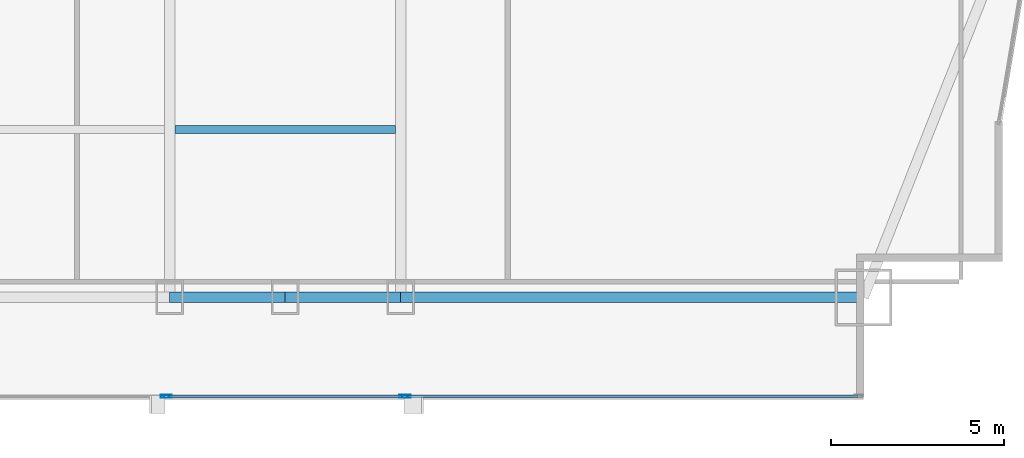
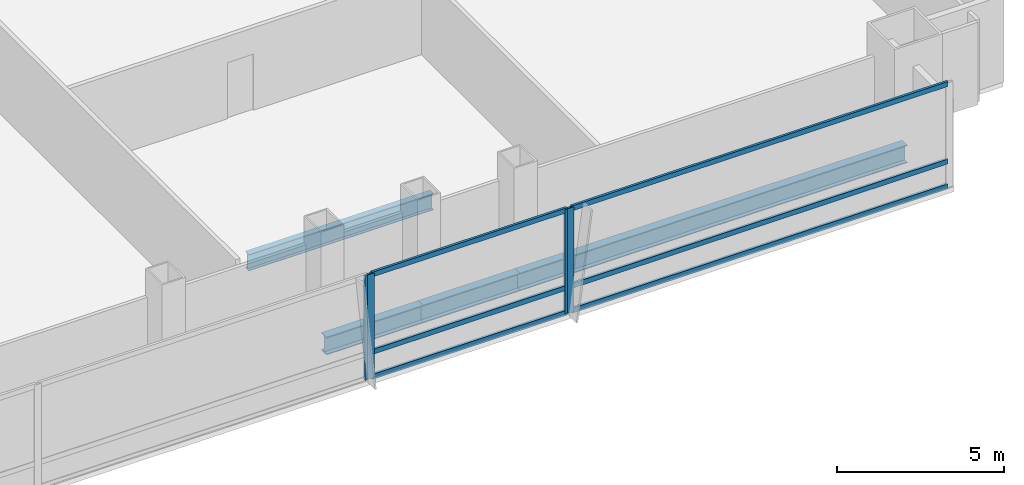
# One storey, part 14 of 32: 10 members, 4 beams, 3 elements without a shape of their own.
"""IFC4 building model written with IfcOpenShell, lengths in metres."""

import ifcopenshell
import ifcopenshell.guid

model = None  # the IFC model being written
_history = None  # IfcOwnerHistory: only IFC2X3 demands one
_inside = {}  # id of a spatial element -> (the spatial element, [elements in it])
_under = {}  # id of a project, library or spatial element -> (it, [spatial elements below it])
_declared = {}  # id of a project -> (the project, [libraries it declares])
_typed = {}  # id of a type object -> (the type object, [elements of that type])
_made_of = {}  # id of a material, layer set ... -> (it, [elements and type objects made of it])


def new_model(schema):
    """Start an empty IFC model of exactly this schema.

    Asked for "IFC4X3", IfcOpenShell would pick the latest addendum, in which some entities
    have other attributes; the version numbers below select the first issue.
    IFC2X3 requires an IfcOwnerHistory on every rooted entity: one is made here for all.
    """
    global model, _history
    if schema == "IFC4X3":
        model = ifcopenshell.file(schema_version=(4, 3, 0, 0))
    else:
        model = ifcopenshell.file(schema=schema)
    _inside.clear()
    _under.clear()
    _declared.clear()
    _typed.clear()
    _made_of.clear()
    _history = None
    if model.schema == "IFC2X3":
        org = make("IfcOrganization", Name="unknown")
        user = make(
            "IfcPersonAndOrganization",
            ThePerson=make("IfcPerson", FamilyName="unknown"),
            TheOrganization=org,
        )
        app = make(
            "IfcApplication",
            ApplicationDeveloper=org,
            Version="unknown",
            ApplicationFullName="unknown",
            ApplicationIdentifier="unknown",
        )
        _history = make(
            "IfcOwnerHistory",
            OwningUser=user,
            OwningApplication=app,
            ChangeAction="ADDED",
            CreationDate=0,
        )
    return model


def make(cls, **values):
    """One entity of the class cls with the attributes given. An attribute that is None is left unset."""
    return model.create_entity(
        cls, **{name: value for name, value in values.items() if value is not None}
    )


def rooted(cls, **values):
    """An entity with a GlobalId (a new one), such as an element, a storey or a relation."""
    return make(cls, GlobalId=ifcopenshell.guid.new(), OwnerHistory=_history, **values)


def si_unit(unit_type, name, prefix=None):
    """IfcSIUnit, for example si_unit("LENGTHUNIT", "METRE", prefix="MILLI")."""
    return make("IfcSIUnit", UnitType=unit_type, Prefix=prefix, Name=name)


def assignment(units):
    """IfcUnitAssignment: the units of a project."""
    return None if units is None else make("IfcUnitAssignment", Units=units)


def point(xyz):
    """IfcCartesianPoint."""
    return None if xyz is None else make("IfcCartesianPoint", Coordinates=xyz)


def direction(xyz):
    """IfcDirection."""
    return None if xyz is None else make("IfcDirection", DirectionRatios=xyz)


def frame(location, z_axis=None, x_axis=None):
    """IfcAxis2Placement3D, a coordinate frame: its origin and axes. An axis left out is left unset."""
    return make(
        "IfcAxis2Placement3D",
        Location=point(location),
        Axis=direction(z_axis),
        RefDirection=direction(x_axis),
    )


def frame_2d(location, x_axis=None):
    """IfcAxis2Placement2D, a coordinate frame in the plane: its origin and x axis."""
    return make(
        "IfcAxis2Placement2D", Location=point(location), RefDirection=direction(x_axis)
    )


def origin():
    """The frame at (0, 0, 0) with its axes left unset."""
    return frame((0.0, 0.0, 0.0))


def origin_2d():
    """The frame at (0, 0) in the plane with its x axis left unset."""
    return frame_2d((0.0, 0.0))


def place(relative_to, where):
    """IfcLocalPlacement: puts the frame where relative to a parent placement (None: the world)."""
    return make(
        "IfcLocalPlacement", PlacementRelTo=relative_to, RelativePlacement=where
    )


def context(
    kind, dimensions, precision=None, world=None, true_north=None, identifier=None
):
    """IfcGeometricRepresentationContext, for example the 3D "Model" context."""
    return make(
        "IfcGeometricRepresentationContext",
        ContextIdentifier=identifier,
        ContextType=kind,
        CoordinateSpaceDimension=dimensions,
        Precision=precision,
        WorldCoordinateSystem=world,
        TrueNorth=true_north,
    )


def subcontext(parent, identifier, kind, view, scale=None):
    """IfcGeometricRepresentationSubContext, for example "Body" below "Model"."""
    return make(
        "IfcGeometricRepresentationSubContext",
        ContextIdentifier=identifier,
        ContextType=kind,
        ParentContext=parent,
        TargetScale=scale,
        TargetView=view,
    )


def project(units=None, contexts=None):
    """IfcProject with its units and contexts."""
    return rooted(
        "IfcProject",
        Name="project",
        RepresentationContexts=contexts,
        UnitsInContext=assignment(units),
    )


def spatial(cls, under=None, at=None, **own):
    """A site, building, storey or space (cls), placed at a placement, below another one or the project."""
    s = rooted(cls, ObjectPlacement=at, **own)
    if under is not None:
        _under.setdefault(under.id(), (under, []))[1].append(s)
    return s


def profile(cls, at=None, kind="AREA", **sizes):
    """A parametric profile (cls). Its sizes go by their IFC names, for example OverallWidth=200.0."""
    return make(cls, ProfileType=kind, Position=at, **sizes)


def hollow_rectangle(**sizes):
    """IfcRectangleHollowProfileDef."""
    return profile("IfcRectangleHollowProfileDef", **sizes)


def i_section(**sizes):
    """IfcIShapeProfileDef."""
    return profile("IfcIShapeProfileDef", **sizes)


def extrude(swept, where, along, depth):
    """IfcExtrudedAreaSolid: the profile swept, set in the frame where, extruded along a direction by depth."""
    return make(
        "IfcExtrudedAreaSolid",
        SweptArea=swept,
        Position=where,
        ExtrudedDirection=direction(along),
        Depth=depth,
    )


def shape(context_of_items, identifier, shape_type, items):
    """IfcShapeRepresentation: the items that make up one representation, for example the "Body"."""
    return make(
        "IfcShapeRepresentation",
        ContextOfItems=context_of_items,
        RepresentationIdentifier=identifier,
        RepresentationType=shape_type,
        Items=items,
    )


def material(Name=None, Category=None):
    """IfcMaterial."""
    return make("IfcMaterial", Name=Name, Category=Category)


def material_profile(
    of_material, cross_section, Name=None, Category=None, Priority=None
):
    """IfcMaterialProfile: a cross section and its material."""
    return make(
        "IfcMaterialProfile",
        Name=Name,
        Material=of_material,
        Profile=cross_section,
        Priority=Priority,
        Category=Category,
    )


def profile_set(profiles, Name=None, composite=None):
    """IfcMaterialProfileSet."""
    return make(
        "IfcMaterialProfileSet",
        Name=Name,
        MaterialProfiles=profiles,
        CompositeProfile=composite,
    )


def made_of(thing, what):
    """Note that an element or type object is made of a material, layer set ...; save() writes the relation."""
    if what is not None:
        _made_of.setdefault(what.id(), (what, []))[1].append(thing)
    return thing


def type_object(cls, material=None, **own):
    """A type object (cls), such as IfcWallType, which elements share."""
    return made_of(rooted(cls, **own), material)


def element(
    cls,
    number,
    at=None,
    inside=None,
    cuts=None,
    type_object=None,
    material=None,
    context=None,
    identifier="Body",
    shape_type=None,
    held_by="IfcProductDefinitionShape",
    body=None,
    shapes=None,
    **own,
):
    """One element of the class cls, such as IfcWall. Its Tag is "e" and its number.

    at: its placement. inside: the storey or other place that contains it. cuts: it is an
    opening in that element (IfcRelVoidsElement). A single representation is given by context,
    identifier, shape_type and body (its items); several are given by shapes. held_by: the class
    of the entity that holds the representations. save() writes the other relations.
    """
    e = rooted(cls, Tag="e%d" % number, ObjectPlacement=at, **own)
    if body is not None:
        shapes = [shape(context, identifier, shape_type, body)]
    if shapes is not None:
        e.Representation = make(held_by, Representations=shapes)
    if inside is not None:
        _inside.setdefault(inside.id(), (inside, []))[1].append(e)
    if cuts is not None:
        rooted(
            "IfcRelVoidsElement", RelatingBuildingElement=cuts, RelatedOpeningElement=e
        )
    if type_object is not None:
        _typed.setdefault(type_object.id(), (type_object, []))[1].append(e)
    return made_of(e, material)


def aggregate(whole, parts):
    """IfcRelAggregates: a whole, such as a stair, and the parts it consists of."""
    return rooted("IfcRelAggregates", RelatingObject=whole, RelatedObjects=parts)


def save(model, path):
    """Write the relations noted so far, then the file.

    IfcRelAggregates (storeys below a building ...), IfcRelContainedInSpatialStructure (elements
    in a storey), IfcRelDefinesByType, IfcRelAssociatesMaterial and IfcRelDeclares: one each for
    every whole, place, type object, material and project.
    """
    for whole, parts in _under.values():
        aggregate(whole, parts)
    for where, things in _inside.values():
        rooted(
            "IfcRelContainedInSpatialStructure",
            RelatedElements=things,
            RelatingStructure=where,
        )
    for kind, things in _typed.values():
        rooted("IfcRelDefinesByType", RelatedObjects=things, RelatingType=kind)
    for what, things in _made_of.values():
        rooted("IfcRelAssociatesMaterial", RelatedObjects=things, RelatingMaterial=what)
    for by, libraries in _declared.values():
        rooted("IfcRelDeclares", RelatingContext=by, RelatedDefinitions=libraries)
    model.write(path)


model = new_model("IFC4")

# Units and contexts
model_context = context("Model", 3, precision=1e-05, world=origin(), true_north=direction((0.0, 1.0)))
body_context = subcontext(model_context, "Body", "Model", "MODEL_VIEW")
ifc_project = project(units=[si_unit("LENGTHUNIT", "METRE"), si_unit("AREAUNIT", "SQUARE_METRE"), si_unit("VOLUMEUNIT", "CUBIC_METRE"), si_unit("PLANEANGLEUNIT", "RADIAN"), si_unit("MASSUNIT", "GRAM", prefix="KILO")], contexts=[model_context])

# Site, building, storey
site_placement = place(None, origin())
site = spatial("IfcSite", under=ifc_project, at=site_placement, CompositionType="ELEMENT")
building_placement = place(site_placement, origin())
building = spatial("IfcBuilding", under=site, at=building_placement, Name="Khoronbel Lancet Exchange", CompositionType="ELEMENT")
storey_placement = place(building_placement, frame((0.0, 0.0, 41.800048828125)))
storey = spatial("IfcBuildingStorey", under=building, at=storey_placement, Name="L09", CompositionType="ELEMENT", Elevation=41.800048828125)

# Beams
ifc_material_1 = material(Name="Steel S355", Category="steel")
ifc_material_profile_1 = material_profile(ifc_material_1, i_section(OverallWidth=0.219970703125, OverallDepth=0.60009765625, WebThickness=0.011962890625, FlangeThickness=0.01904296875, at=origin_2d()), Name="IPE 600")
ifc_profile_set_1 = profile_set([ifc_material_profile_1], Name="Steel S355")
beam_type_1 = type_object("IfcBeamType", Name="BM-BJ1", PredefinedType="JOIST", material=ifc_profile_set_1)
beam_1_placement = place(storey_placement, frame((48.14990234375, 15.0, -0.47998046875), z_axis=(1.0, 0.0, 0.0), x_axis=(0.0, 1.0, 0.0)))
element("IfcBeam", 1, at=beam_1_placement, inside=storey, type_object=beam_type_1, Name="Level L09 secondary composite joist J05", PredefinedType="JOIST", context=body_context, shape_type="SweptSolid", body=[
    extrude(i_section(OverallWidth=0.219970703125, OverallDepth=0.60009765625, WebThickness=0.011962890625, FlangeThickness=0.01904296875, at=origin_2d()), origin(), (0.0, 0.0, 1.0), 6.375),
])
ifc_material_profile_2 = material_profile(ifc_material_1, i_section(OverallWidth=0.300048828125, OverallDepth=0.64990234375, WebThickness=0.01611328125, FlangeThickness=0.031005859375, at=origin_2d()), Name="HEB 650")
ifc_profile_set_2 = profile_set([ifc_material_profile_2], Name="Steel S355")
beam_type_2 = type_object("IfcBeamType", Name="BM-BSP1", PredefinedType="SPANDREL", material=ifc_profile_set_2)
beam_2_placement = place(storey_placement, frame((48.0, 10.14990234375, -0.505126953125), z_axis=(1.0, 0.0, 0.0), x_axis=(0.0, 1.0, 0.0)))
element("IfcBeam", 2, at=beam_2_placement, inside=storey, type_object=beam_type_2, Name="Level L09 perimeter spandrel beam SP07", PredefinedType="SPANDREL", context=body_context, shape_type="SweptSolid", body=[
    extrude(i_section(OverallWidth=0.300048828125, OverallDepth=0.64990234375, WebThickness=0.01611328125, FlangeThickness=0.031005859375, at=origin_2d()), origin(), (0.0, 0.0, 1.0), 3.33740234375),
])
beam_3_placement = place(storey_placement, frame((51.33740234375, 10.14990234375, -0.505126953125), z_axis=(1.0, 0.0, 0.0), x_axis=(0.0, 1.0, 0.0)))
element("IfcBeam", 3, at=beam_3_placement, inside=storey, type_object=beam_type_2, Name="Level L09 perimeter spandrel beam SP08", PredefinedType="SPANDREL", context=body_context, shape_type="SweptSolid", body=[
    extrude(i_section(OverallWidth=0.300048828125, OverallDepth=0.64990234375, WebThickness=0.01611328125, FlangeThickness=0.031005859375, at=origin_2d()), origin(), (0.0, 0.0, 1.0), 3.337646484375),
])
beam_4_placement = place(storey_placement, frame((54.675048828125, 10.14990234375, -0.505126953125), z_axis=(1.0, 0.0, 0.0), x_axis=(0.0, 1.0, 0.0)))
element("IfcBeam", 4, at=beam_4_placement, inside=storey, type_object=beam_type_2, Name="Level L09 perimeter spandrel beam SP09", PredefinedType="SPANDREL", context=body_context, shape_type="SweptSolid", body=[
    extrude(i_section(OverallWidth=0.300048828125, OverallDepth=0.64990234375, WebThickness=0.01611328125, FlangeThickness=0.031005859375, at=origin_2d()), origin(), (0.0, 0.0, 1.0), 13.375),
])

# Curtain wall, member
ifc_material_2 = material(Name="Low-E Solar Control Insulating Glass", Category="glass")
curtain_wall_type = type_object("IfcCurtainWallType", Name="CW-1", PredefinedType="NOTDEFINED", material=ifc_material_2)
curtain_wall_1_placement = place(storey_placement, origin())
curtain_wall_1 = element("IfcCurtainWall", 5, at=curtain_wall_1_placement, inside=storey, type_object=curtain_wall_type, Name="Unitised curtain wall CW-L09-SCV", PredefinedType="NOTDEFINED")
ifc_material_3 = material(Name="Bronze-Anodised Aluminium 6063-T6", Category="aluminium")
ifc_material_profile_3 = material_profile(ifc_material_3, hollow_rectangle(XDim=0.0849609375, YDim=0.239990234375, WallThickness=0.006103515625, at=origin_2d()), Name="ALU MULLION 85x240")
ifc_profile_set_3 = profile_set([ifc_material_profile_3], Name="Bronze-Anodised Aluminium 6063-T6")
member_type_1 = type_object("IfcMemberType", Name="MEM-CWM1", PredefinedType="MULLION", material=ifc_profile_set_3)
member_1_placement = place(storey_placement, frame((47.857421875, 7.2900390625, 0.0), z_axis=(0.0, 0.0, 1.0), x_axis=(0.0, 1.0, 0.0)))
member_1 = element("IfcMember", 6, at=member_1_placement, type_object=member_type_1, Name="CW1 mullion 3", PredefinedType="MULLION", context=body_context, shape_type="SweptSolid", body=[
    extrude(hollow_rectangle(XDim=0.0849609375, YDim=0.239990234375, WallThickness=0.006103515625, at=origin_2d()), origin(), (0.0, 0.0, 1.0), 3.820068359375),
])
aggregate(curtain_wall_1, [member_1])

# Curtain wall, members
curtain_wall_2_placement = place(storey_placement, origin())
curtain_wall_2 = element("IfcCurtainWall", 7, at=curtain_wall_2_placement, inside=storey, type_object=curtain_wall_type, Name="Unitised curtain wall CW-L09-SEB", PredefinedType="NOTDEFINED")
member_2_placement = place(storey_placement, frame((47.9423828125, 7.2900390625, 0.0), z_axis=(0.0, 0.0, 1.0), x_axis=(0.0, 1.0, 0.0)))
member_2 = element("IfcMember", 8, at=member_2_placement, type_object=member_type_1, Name="CW1 mullion 1", PredefinedType="MULLION", context=body_context, shape_type="SweptSolid", body=[
    extrude(hollow_rectangle(XDim=0.0849609375, YDim=0.239990234375, WallThickness=0.006103515625, at=origin_2d()), origin(), (0.0, 0.0, 1.0), 3.820068359375),
])
member_3_placement = place(storey_placement, frame((54.757568359375, 7.2900390625, 0.0), z_axis=(0.0, 0.0, 1.0), x_axis=(0.0, 1.0, 0.0)))
member_3 = element("IfcMember", 9, at=member_3_placement, type_object=member_type_1, Name="CW1 mullion 2", PredefinedType="MULLION", context=body_context, shape_type="SweptSolid", body=[
    extrude(hollow_rectangle(XDim=0.0849609375, YDim=0.239990234375, WallThickness=0.006103515625, at=origin_2d()), origin(), (0.0, 0.0, 1.0), 3.820068359375),
])

# Curtain wall, member
curtain_wall_3_placement = place(storey_placement, origin())
curtain_wall_3 = element("IfcCurtainWall", 10, at=curtain_wall_3_placement, inside=storey, type_object=curtain_wall_type, Name="Unitised curtain wall CW-L09-SEV", PredefinedType="NOTDEFINED")
member_4_placement = place(storey_placement, frame((54.842529296875, 7.2900390625, 0.0), z_axis=(0.0, 0.0, 1.0), x_axis=(0.0, 1.0, 0.0)))
member_4 = element("IfcMember", 11, at=member_4_placement, type_object=member_type_1, Name="CW1 mullion 1", PredefinedType="MULLION", context=body_context, shape_type="SweptSolid", body=[
    extrude(hollow_rectangle(XDim=0.0849609375, YDim=0.239990234375, WallThickness=0.006103515625, at=origin_2d()), origin(), (0.0, 0.0, 1.0), 3.820068359375),
])

# Member
ifc_material_profile_4 = material_profile(ifc_material_3, hollow_rectangle(XDim=0.0849609375, YDim=0.179931640625, WallThickness=0.0048828125, at=origin_2d()), Name="ALU TRANSOM 85x180")
ifc_profile_set_4 = profile_set([ifc_material_profile_4], Name="Bronze-Anodised Aluminium 6063-T6")
member_type_2 = type_object("IfcMemberType", Name="MEM-CWT1", PredefinedType="USERDEFINED", material=ifc_profile_set_4)
member_5_placement = place(storey_placement, frame((47.985107421875, 7.2900390625, 0.04248046875), z_axis=(1.0, 0.0, 0.0), x_axis=(0.0, 1.0, 0.0)))
member_5 = element("IfcMember", 12, at=member_5_placement, type_object=member_type_2, Name="CW1 transom 1.1", ObjectType="TRANSOM", PredefinedType="USERDEFINED", context=body_context, shape_type="SweptSolid", body=[
    extrude(hollow_rectangle(XDim=0.0849609375, YDim=0.179931640625, WallThickness=0.0048828125, at=origin_2d()), origin(), (0.0, 0.0, 1.0), 6.72998046875),
])

member_6_placement = place(storey_placement, frame((47.985107421875, 7.2900390625, 0.949951171875), z_axis=(1.0, 0.0, 0.0), x_axis=(0.0, 1.0, 0.0)))
member_6 = element("IfcMember", 13, at=member_6_placement, type_object=member_type_2, Name="CW1 transom 1.2", ObjectType="TRANSOM", PredefinedType="USERDEFINED", context=body_context, shape_type="SweptSolid", body=[
    extrude(hollow_rectangle(XDim=0.0849609375, YDim=0.179931640625, WallThickness=0.0048828125, at=origin_2d()), origin(), (0.0, 0.0, 1.0), 6.72998046875),
])

member_7_placement = place(storey_placement, frame((47.985107421875, 7.2900390625, 3.77734375), z_axis=(1.0, 0.0, 0.0), x_axis=(0.0, 1.0, 0.0)))
member_7 = element("IfcMember", 14, at=member_7_placement, type_object=member_type_2, Name="CW1 transom 1.3", ObjectType="TRANSOM", PredefinedType="USERDEFINED", context=body_context, shape_type="SweptSolid", body=[
    extrude(hollow_rectangle(XDim=0.0849609375, YDim=0.179931640625, WallThickness=0.0048828125, at=origin_2d()), origin(), (0.0, 0.0, 1.0), 6.72998046875),
])

aggregate(curtain_wall_2, [member_2, member_3, member_5, member_6, member_7])

member_8_placement = place(storey_placement, frame((54.885009765625, 7.2900390625, 0.04248046875), z_axis=(1.0, 0.0, 0.0), x_axis=(0.0, 1.0, 0.0)))
member_8 = element("IfcMember", 15, at=member_8_placement, type_object=member_type_2, Name="CW1 transom 1.1", ObjectType="TRANSOM", PredefinedType="USERDEFINED", context=body_context, shape_type="SweptSolid", body=[
    extrude(hollow_rectangle(XDim=0.0849609375, YDim=0.179931640625, WallThickness=0.0048828125, at=origin_2d()), origin(), (0.0, 0.0, 1.0), 12.989990234375),
])

member_9_placement = place(storey_placement, frame((54.885009765625, 7.2900390625, 0.949951171875), z_axis=(1.0, 0.0, 0.0), x_axis=(0.0, 1.0, 0.0)))
member_9 = element("IfcMember", 16, at=member_9_placement, type_object=member_type_2, Name="CW1 transom 1.2", ObjectType="TRANSOM", PredefinedType="USERDEFINED", context=body_context, shape_type="SweptSolid", body=[
    extrude(hollow_rectangle(XDim=0.0849609375, YDim=0.179931640625, WallThickness=0.0048828125, at=origin_2d()), origin(), (0.0, 0.0, 1.0), 12.989990234375),
])

member_10_placement = place(storey_placement, frame((54.885009765625, 7.2900390625, 3.77734375), z_axis=(1.0, 0.0, 0.0), x_axis=(0.0, 1.0, 0.0)))
member_10 = element("IfcMember", 17, at=member_10_placement, type_object=member_type_2, Name="CW1 transom 1.3", ObjectType="TRANSOM", PredefinedType="USERDEFINED", context=body_context, shape_type="SweptSolid", body=[
    extrude(hollow_rectangle(XDim=0.0849609375, YDim=0.179931640625, WallThickness=0.0048828125, at=origin_2d()), origin(), (0.0, 0.0, 1.0), 12.989990234375),
])

aggregate(curtain_wall_3, [member_4, member_8, member_9, member_10])

save(model, "model.ifc")
